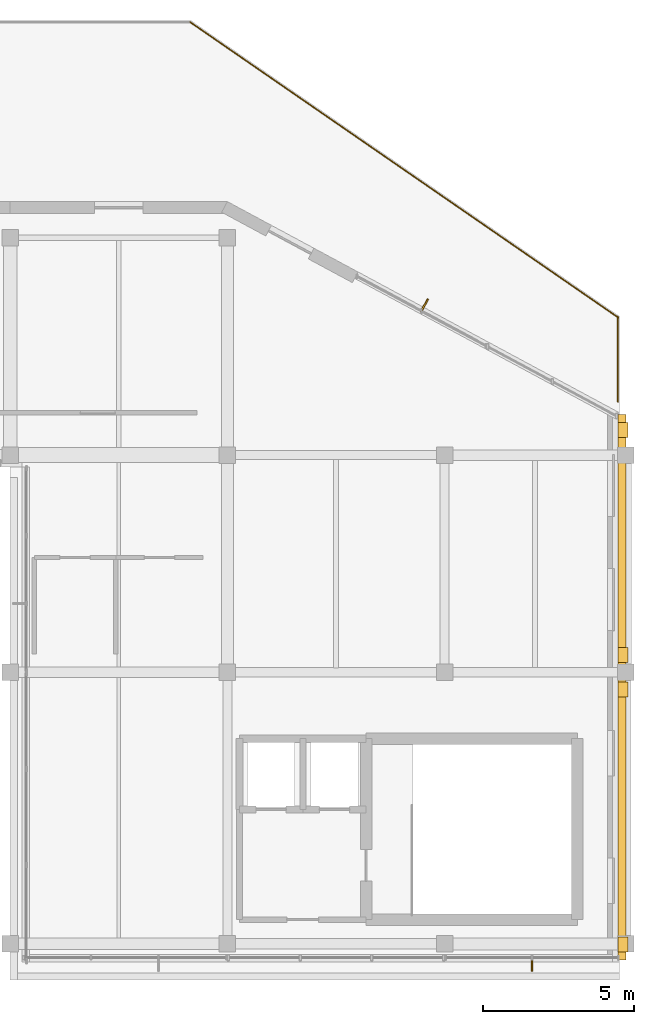
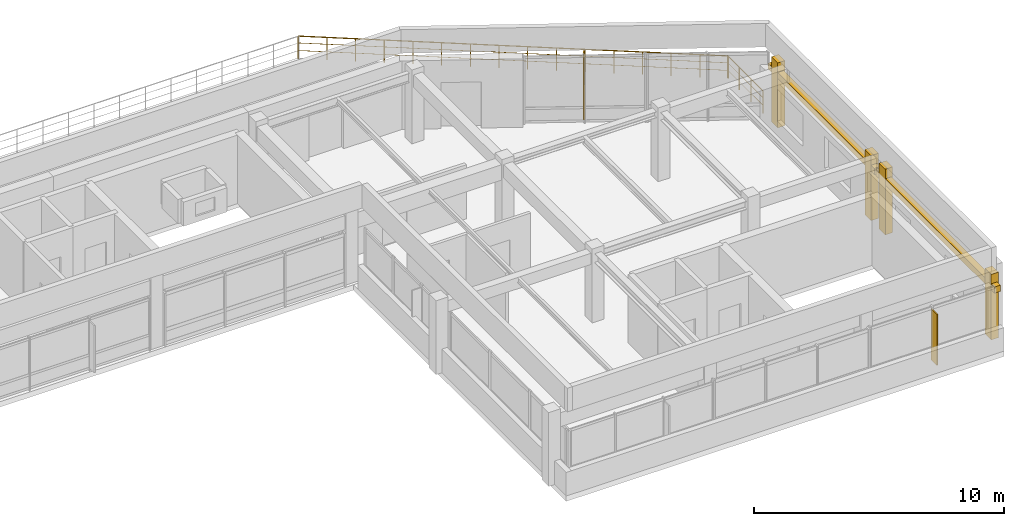
# One storey, part 10 of 10: 6 coverings, 2 railings, 2 shading devices.
"""IFC4 building model written with IfcOpenShell, lengths in metres."""

from ifc_helpers import new_model, si_unit, direction, frame, frame_2d, origin, origin_2d, place, context, subcontext, project, spatial, rectangle, circle, extrude, material, layer, layer_set, type_object, element, save


model = new_model("IFC4")

# Units and contexts
model_context = context("Model", 3, precision=1e-05, world=origin(), true_north=direction((0.0, 1.0)))
body_context = subcontext(model_context, "Body", "Model", "MODEL_VIEW")
ifc_project = project(units=[si_unit("LENGTHUNIT", "METRE"), si_unit("AREAUNIT", "SQUARE_METRE"), si_unit("VOLUMEUNIT", "CUBIC_METRE"), si_unit("PLANEANGLEUNIT", "RADIAN"), si_unit("MASSUNIT", "GRAM", prefix="KILO")], contexts=[model_context])

# Site, building, storey
site_placement = place(None, origin())
site = spatial("IfcSite", under=ifc_project, at=site_placement, CompositionType="ELEMENT")
building_placement = place(site_placement, origin())
building = spatial("IfcBuilding", under=site, at=building_placement, Name="Clarverna Civic Hall", CompositionType="ELEMENT")
storey_placement = place(building_placement, frame((0.0, 0.0, 27.60009765625)))
storey = spatial("IfcBuildingStorey", under=building, at=storey_placement, Name="L07", CompositionType="ELEMENT", Elevation=27.60009765625)

# Coverings
ifc_material_1 = material(Name="Montjuic Buff Limestone Ashlar Cladding", Category="masonry")
ifc_layer_1 = layer(ifc_material_1, 0.070068359375)
ifc_layer_set_1 = layer_set([ifc_layer_1], Name="Montjuic Buff Limestone Ashlar Cladding")
covering_type = type_object("IfcCoveringType", Name="CV-CL2", PredefinedType="CLADDING", material=ifc_layer_set_1)
covering_1_placement = place(storey_placement, frame((167.8798828125, 96.340087890625, 2.409912109375), z_axis=(0.0, 0.0, 1.0), x_axis=(0.0, -1.0, 0.0)))
element("IfcCovering", 1, at=covering_1_placement, inside=storey, type_object=covering_type, Name="CV-CL2-901", PredefinedType="CLADDING", context=body_context, shape_type="SweptSolid", body=[
    extrude(rectangle(XDim=8.47998046875, YDim=0.280029296875, at=frame_2d((4.239990234375, 0.0))), origin(), (0.0, 0.0, 1.0), 0.300048828125),
])
for number, where, z_axis, x_axis, name in (
    (2, (167.909912109375, 96.080078125, 0.0), (0.0, 0.0, 1.0), (0.0, -1.0, 0.0), "CV-CL2-902"),
    (3, (167.909912109375, 88.6201171875, 0.0), (0.0, 0.0, 1.0), (0.0, -1.0, 0.0), "CV-CL2-903"),
):
    element("IfcCovering", number, at=place(storey_placement, frame(where, z_axis=z_axis, x_axis=x_axis)), inside=storey, type_object=covering_type, Name=name, PredefinedType="CLADDING", context=body_context, shape_type="SweptSolid", body=[
        extrude(rectangle(XDim=0.5, YDim=0.340087890625, at=frame_2d((0.25, 0.0))), origin(), (0.0, 0.0, 1.0), 3.169921875),
    ])
covering_2_placement = place(storey_placement, frame((167.8798828125, 87.739990234375, 2.43994140625), z_axis=(0.0, 0.0, 1.0), x_axis=(0.0, -1.0, 0.0)))
element("IfcCovering", 4, at=covering_2_placement, inside=storey, type_object=covering_type, Name="CV-CL2-904", PredefinedType="CLADDING", context=body_context, shape_type="SweptSolid", body=[
    extrude(rectangle(XDim=9.47998046875, YDim=0.280029296875, at=frame_2d((4.739990234375, 0.0))), origin(), (0.0, 0.0, 1.0), 0.300048828125),
])
for number, where, z_axis, x_axis, name in (
    (5, (167.909912109375, 87.47998046875, 0.0), (0.0, 0.0, 1.0), (0.0, -1.0, 0.0), "CV-CL2-905"),
    (6, (167.909912109375, 79.02001953125, 0.0), (0.0, 0.0, 1.0), (0.0, -1.0, 0.0), "CV-CL2-906"),
):
    element("IfcCovering", number, at=place(storey_placement, frame(where, z_axis=z_axis, x_axis=x_axis)), inside=storey, type_object=covering_type, Name=name, PredefinedType="CLADDING", context=body_context, shape_type="SweptSolid", body=[
        extrude(rectangle(XDim=0.5, YDim=0.340087890625, at=frame_2d((0.25, 0.0))), origin(), (0.0, 0.0, 1.0), 3.199951171875),
    ])

# Railings
ifc_material_2 = material(Name="Anodised Bronze Architectural Balustrade")
railing_type = type_object("IfcRailingType", Name="GR-01", PredefinedType="BALUSTRADE", material=ifc_material_2)
railing_1_placement = place(storey_placement, frame((153.56591796875, 109.3505859375, 0.0)))
element("IfcRailing", 7, at=railing_1_placement, inside=storey, type_object=railing_type, Name="GR-01-049", PredefinedType="BALUSTRADE", context=body_context, shape_type="SweptSolid", body=[
    extrude(circle(Radius=0.02392578125, at=origin_2d()), frame((0.0, 0.0, 1.09619140625), z_axis=(0.823023689578, -0.568007047837, 0.0), x_axis=(0.568007047837, 0.823023689578, 0.0)), (0.0, 0.0, 1.0), 17.25341796875),
    extrude(circle(Radius=0.011962890625, at=origin_2d()), frame((0.0, 0.0, 0.39208984375), z_axis=(0.823023689578, -0.568007047837, 0.0), x_axis=(0.568007047837, 0.823023689578, 0.0)), (0.0, 0.0, 1.0), 17.25341796875),
    extrude(circle(Radius=0.011962890625, at=origin_2d()), frame((0.0, 0.0, 0.76171875), z_axis=(0.823023689578, -0.568007047837, 0.0), x_axis=(0.568007047837, 0.823023689578, 0.0)), (0.0, 0.0, 1.0), 17.25341796875),
    extrude(circle(Radius=0.02099609375, at=origin_2d()), origin(), (0.0, 0.0, 1.0), 1.072021484375),
    extrude(circle(Radius=0.02099609375, at=origin_2d()), frame((0.94677734375, -0.6533203125, 0.0)), (0.0, 0.0, 1.0), 1.072021484375),
    extrude(circle(Radius=0.02099609375, at=origin_2d()), frame((1.893310546875, -1.306640625, 0.0)), (0.0, 0.0, 1.0), 1.072021484375),
    extrude(circle(Radius=0.02099609375, at=origin_2d()), frame((2.840087890625, -1.9599609375, 0.0)), (0.0, 0.0, 1.0), 1.072021484375),
    extrude(circle(Radius=0.02099609375, at=origin_2d()), frame((3.78662109375, -2.61328125, 0.0)), (0.0, 0.0, 1.0), 1.072021484375),
    extrude(circle(Radius=0.02099609375, at=origin_2d()), frame((4.7333984375, -3.2666015625, 0.0)), (0.0, 0.0, 1.0), 1.072021484375),
    extrude(circle(Radius=0.02099609375, at=origin_2d()), frame((5.679931640625, -3.919921875, 0.0)), (0.0, 0.0, 1.0), 1.072021484375),
    extrude(circle(Radius=0.02099609375, at=origin_2d()), frame((6.626708984375, -4.5732421875, 0.0)), (0.0, 0.0, 1.0), 1.072021484375),
    extrude(circle(Radius=0.02099609375, at=origin_2d()), frame((7.5732421875, -5.226806640625, 0.0)), (0.0, 0.0, 1.0), 1.072021484375),
    extrude(circle(Radius=0.02099609375, at=origin_2d()), frame((8.52001953125, -5.880126953125, 0.0)), (0.0, 0.0, 1.0), 1.072021484375),
    extrude(circle(Radius=0.02099609375, at=origin_2d()), frame((9.466552734375, -6.533447265625, 0.0)), (0.0, 0.0, 1.0), 1.072021484375),
    extrude(circle(Radius=0.02099609375, at=origin_2d()), frame((10.413330078125, -7.186767578125, 0.0)), (0.0, 0.0, 1.0), 1.072021484375),
    extrude(circle(Radius=0.02099609375, at=origin_2d()), frame((11.35986328125, -7.840087890625, 0.0)), (0.0, 0.0, 1.0), 1.072021484375),
    extrude(circle(Radius=0.02099609375, at=origin_2d()), frame((12.306640625, -8.493408203125, 0.0)), (0.0, 0.0, 1.0), 1.072021484375),
    extrude(circle(Radius=0.02099609375, at=origin_2d()), frame((13.253173828125, -9.146728515625, 0.0)), (0.0, 0.0, 1.0), 1.072021484375),
    extrude(circle(Radius=0.02099609375, at=origin_2d()), frame((14.199951171875, -9.800048828125, 0.0)), (0.0, 0.0, 1.0), 1.072021484375),
])
railing_2_placement = place(storey_placement, frame((167.739990234375, 99.60009765625, 0.0)))
element("IfcRailing", 8, at=railing_2_placement, inside=storey, type_object=railing_type, Name="GR-01-050", PredefinedType="BALUSTRADE", context=body_context, shape_type="SweptSolid", body=[
    extrude(circle(Radius=0.02392578125, at=origin_2d()), frame((0.0, 0.0, 1.09619140625), z_axis=(0.0, -1.0, 0.0), x_axis=(1.0, 0.0, 0.0)), (0.0, 0.0, 1.0), 2.836669921875),
    extrude(circle(Radius=0.011962890625, at=origin_2d()), frame((0.0, 0.0, 0.39208984375), z_axis=(0.0, -1.0, 0.0), x_axis=(1.0, 0.0, 0.0)), (0.0, 0.0, 1.0), 2.836669921875),
    extrude(circle(Radius=0.011962890625, at=origin_2d()), frame((0.0, 0.0, 0.76171875), z_axis=(0.0, -1.0, 0.0), x_axis=(1.0, 0.0, 0.0)), (0.0, 0.0, 1.0), 2.836669921875),
    extrude(circle(Radius=0.02099609375, at=origin_2d()), origin(), (0.0, 0.0, 1.0), 1.072021484375),
    extrude(circle(Radius=0.02099609375, at=origin_2d()), frame((0.0, -0.945556640625, 0.0)), (0.0, 0.0, 1.0), 1.072021484375),
    extrude(circle(Radius=0.02099609375, at=origin_2d()), frame((0.0, -1.89111328125, 0.0)), (0.0, 0.0, 1.0), 1.072021484375),
    extrude(circle(Radius=0.02099609375, at=origin_2d()), frame((0.0, -2.836669921875, 0.0)), (0.0, 0.0, 1.0), 1.072021484375),
])

# Shading devices
ifc_material_3 = material(Name="Anodised Bronze Architectural Solar Fin", Category="aluminium")
ifc_layer_2 = layer(ifc_material_3, 0.054931640625)
ifc_layer_set_2 = layer_set([ifc_layer_2], Name="Anodised Bronze Architectural Solar Fin")
shading_device_type = type_object("IfcShadingDeviceType", Name="SD-FN1", PredefinedType="USERDEFINED", material=ifc_layer_set_2)
shading_device_1_placement = place(storey_placement, frame((161.219482421875, 99.750244140625, 0.14990234375), z_axis=(0.0, 0.0, 1.0), x_axis=(0.474069489922, 0.880487432463, 0.0)))
element("IfcShadingDevice", 9, at=shading_device_1_placement, inside=storey, type_object=shading_device_type, Name="SD-FN1-080", ObjectType="FIN", PredefinedType="USERDEFINED", context=body_context, shape_type="SweptSolid", body=[
    extrude(rectangle(XDim=0.47998046875, YDim=0.054931640625, at=frame_2d((0.239990234375, 0.0))), origin(), (0.0, 0.0, 1.0), 3.0400390625),
])
shading_device_2_placement = place(storey_placement, frame((164.89990234375, 78.3701171875, 0.14990234375), z_axis=(0.0, 0.0, 1.0), x_axis=(0.0, -1.0, 0.0)))
element("IfcShadingDevice", 10, at=shading_device_2_placement, inside=storey, type_object=shading_device_type, Name="SD-FN1-081", ObjectType="FIN", PredefinedType="USERDEFINED", context=body_context, shape_type="SweptSolid", body=[
    extrude(rectangle(XDim=0.480224609375, YDim=0.054931640625, at=frame_2d((0.240234375, 0.0))), origin(), (0.0, 0.0, 1.0), 2.47998046875),
])

save(model, "model.ifc")
